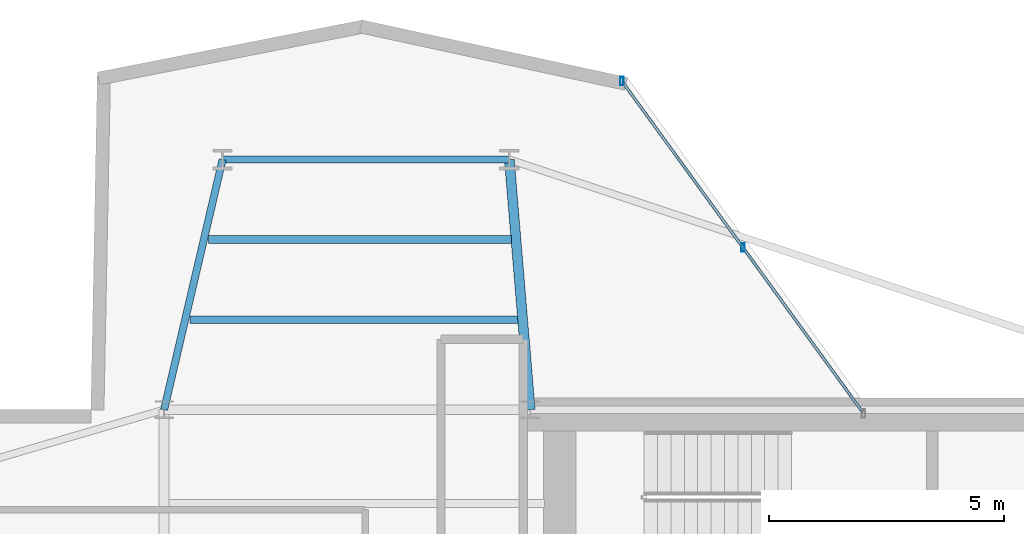
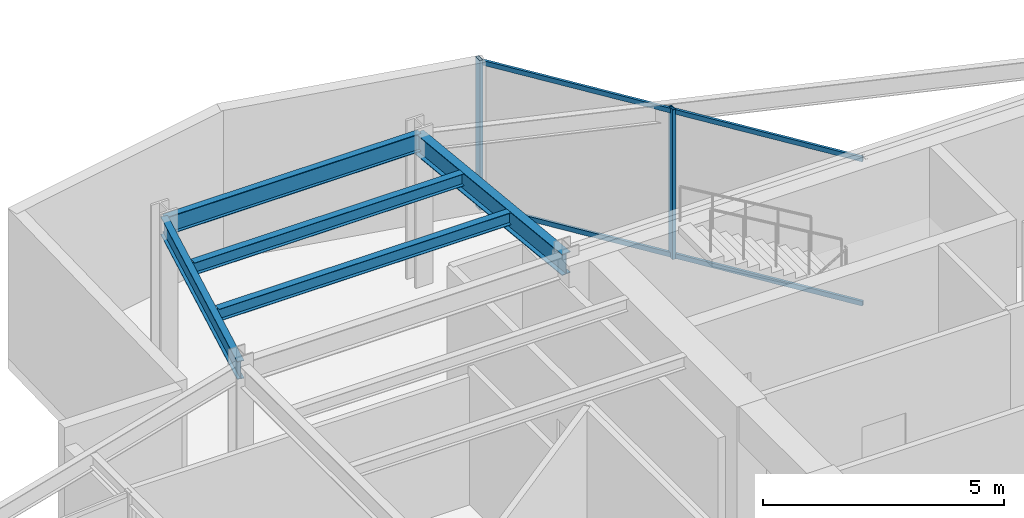
# One storey, part 11 of 21: 5 beams, 4 members, 1 element without a shape of its own.
"""IFC4 building model written with IfcOpenShell, lengths in metres."""

from ifc_helpers import new_model, si_unit, direction, frame, origin, origin_2d, place, context, subcontext, project, spatial, hollow_rectangle, i_section, extrude, material, layer, layer_set, material_profile, profile_set, type_object, element, aggregate, save


model = new_model("IFC4")

# Units and contexts
model_context = context("Model", 3, precision=1e-05, world=origin(), true_north=direction((0.0, 1.0)))
body_context = subcontext(model_context, "Body", "Model", "MODEL_VIEW")
ifc_project = project(units=[si_unit("LENGTHUNIT", "METRE"), si_unit("AREAUNIT", "SQUARE_METRE"), si_unit("VOLUMEUNIT", "CUBIC_METRE"), si_unit("PLANEANGLEUNIT", "RADIAN"), si_unit("MASSUNIT", "GRAM", prefix="KILO")], contexts=[model_context])

# Site, building, storey
site_placement = place(None, origin())
site = spatial("IfcSite", under=ifc_project, at=site_placement, CompositionType="ELEMENT")
building_placement = place(site_placement, origin())
building = spatial("IfcBuilding", under=site, at=building_placement, Name="Veymaron Broadcast Tower", CompositionType="ELEMENT")
storey_placement = place(building_placement, frame((0.0, 0.0, 228.300048828125)))
storey = spatial("IfcBuildingStorey", under=building, at=storey_placement, Name="L53", CompositionType="ELEMENT", Elevation=228.300048828125)

# Beams
ifc_material_1 = material(Name="Structural steel ASTM A992 Gr 50", Category="steel")
ifc_material_profile_1 = material_profile(ifc_material_1, i_section(OverallWidth=0.2099609375, OverallDepth=0.537109375, WebThickness=0.010986328125, FlangeThickness=0.017333984375, at=origin_2d()), Name="W530X101")
ifc_profile_set_1 = profile_set([ifc_material_profile_1], Name="Structural steel ASTM A992 Gr 50")
beam_type_1 = type_object("IfcBeamType", Name="BM-FG3", PredefinedType="BEAM", material=ifc_profile_set_1)
beam_1_placement = place(storey_placement, frame((39.0, 32.0, 3.521484375), z_axis=(-0.083211691167, 0.996531893345, 0.0), x_axis=(-0.996531893345, -0.083211691167, 0.0)))
element("IfcBeam", 1, at=beam_1_placement, inside=storey, type_object=beam_type_1, Name="L53 primary structural floor girder", PredefinedType="BEAM", context=body_context, shape_type="SweptSolid", body=[
    extrude(i_section(OverallWidth=0.2099609375, OverallDepth=0.537109375, WebThickness=0.010986328125, FlangeThickness=0.017333984375, at=origin_2d()), origin(), (0.0, 0.0, 1.0), 5.3486328125),
])
ifc_material_profile_2 = material_profile(ifc_material_1, i_section(OverallWidth=0.1650390625, OverallDepth=0.31005859375, WebThickness=0.005859375, FlangeThickness=0.009765625, at=origin_2d()), Name="W310X39")
ifc_profile_set_2 = profile_set([ifc_material_profile_2], Name="Structural steel ASTM A992 Gr 50")
beam_type_2 = type_object("IfcBeamType", Name="BM-JS3", PredefinedType="JOIST", material=ifc_profile_set_2)
beam_2_placement = place(storey_placement, frame((31.74853515625, 33.918701171875, 3.635009765625), z_axis=(1.0, 0.0, 0.0), x_axis=(0.0, 1.0, 0.0)))
element("IfcBeam", 2, at=beam_2_placement, inside=storey, type_object=beam_type_2, Name="L53 Arm-B secondary joist 1", PredefinedType="JOIST", context=body_context, shape_type="SweptSolid", body=[
    extrude(i_section(OverallWidth=0.1650390625, OverallDepth=0.31005859375, WebThickness=0.005859375, FlangeThickness=0.009765625, at=origin_2d()), origin(), (0.0, 0.0, 1.0), 6.9912109375),
])
beam_3_placement = place(storey_placement, frame((32.147216796875, 35.62451171875, 3.635009765625), z_axis=(1.0, 0.0, 0.0), x_axis=(0.0, 1.0, 0.0)))
element("IfcBeam", 3, at=beam_3_placement, inside=storey, type_object=beam_type_2, Name="L53 Arm-B secondary joist 2", PredefinedType="JOIST", context=body_context, shape_type="SweptSolid", body=[
    extrude(i_section(OverallWidth=0.1650390625, OverallDepth=0.31005859375, WebThickness=0.005859375, FlangeThickness=0.009765625, at=origin_2d()), origin(), (0.0, 0.0, 1.0), 6.4501953125),
])
ifc_material_profile_3 = material_profile(ifc_material_1, i_section(OverallWidth=0.154052734375, OverallDepth=0.458984375, WebThickness=0.009033203125, FlangeThickness=0.015380859375, at=origin_2d()), Name="W460X68")
ifc_profile_set_3 = profile_set([ifc_material_profile_3], Name="Structural steel ASTM A992 Gr 50")
beam_type_3 = type_object("IfcBeamType", Name="BM-SP2", PredefinedType="SPANDREL", material=ifc_profile_set_3)
beam_4_placement = place(storey_placement, frame((31.199951171875, 32.0, 3.560546875), z_axis=(0.227646942329, 0.973743739209, 0.0), x_axis=(-0.973743739209, 0.227646942329, 0.0)))
element("IfcBeam", 4, at=beam_4_placement, inside=storey, type_object=beam_type_3, Name="L53 primary structural floor girder", PredefinedType="SPANDREL", context=body_context, shape_type="SweptSolid", body=[
    extrude(i_section(OverallWidth=0.154052734375, OverallDepth=0.458984375, WebThickness=0.009033203125, FlangeThickness=0.015380859375, at=origin_2d()), origin(), (0.0, 0.0, 1.0), 5.473876953125),
])
beam_5_placement = place(storey_placement, frame((32.446044921875, 37.330078125, 3.560546875), z_axis=(1.0, 0.0, 0.0), x_axis=(0.0, 1.0, 0.0)))
element("IfcBeam", 5, at=beam_5_placement, inside=storey, type_object=beam_type_3, Name="L53 primary structural floor girder", PredefinedType="SPANDREL", context=body_context, shape_type="SweptSolid", body=[
    extrude(i_section(OverallWidth=0.154052734375, OverallDepth=0.458984375, WebThickness=0.009033203125, FlangeThickness=0.015380859375, at=origin_2d()), origin(), (0.0, 0.0, 1.0), 6.10888671875),
])

# Curtain wall, members
ifc_material_2 = material(Name="Anodised aluminium AA 6063-T6 and laminated low-E dark glass", Category="aluminium")
ifc_layer = layer(ifc_material_2, 0.179931640625)
ifc_layer_set = layer_set([ifc_layer], Name="Anodised aluminium AA 6063-T6 and laminated low-E dark glass")
curtain_wall_type = type_object("IfcCurtainWallType", Name="CW-SYS-05", PredefinedType="NOTDEFINED", material=ifc_layer_set)
curtain_wall_placement = place(storey_placement, origin())
curtain_wall = element("IfcCurtainWall", 6, at=curtain_wall_placement, inside=storey, type_object=curtain_wall_type, Name="L53 dark-glass curtain wall CW-L53-E5-1", PredefinedType="NOTDEFINED")
ifc_material_3 = material(Name="Anodised aluminium AA 6063-T6", Category="aluminium")
ifc_material_profile_4 = material_profile(ifc_material_3, hollow_rectangle(XDim=0.074951171875, YDim=0.179931640625, WallThickness=0.0048828125, at=origin_2d()), Name="AL180X75X5")
ifc_profile_set_4 = profile_set([ifc_material_profile_4], Name="Anodised aluminium AA 6063-T6")
member_type_1 = type_object("IfcMemberType", Name="CW-MUL-02", PredefinedType="MULLION", material=ifc_profile_set_4)
member_1_placement = place(storey_placement, frame((43.5302734375, 35.458740234375, 0.0), z_axis=(0.0, 0.0, 1.0), x_axis=(1.0, 0.0, 0.0)))
member_1 = element("IfcMember", 7, at=member_1_placement, type_object=member_type_1, Name="CW-L53-E5-1 mullion 1", PredefinedType="MULLION", context=body_context, shape_type="SweptSolid", body=[
    extrude(hollow_rectangle(XDim=0.074951171875, YDim=0.179931640625, WallThickness=0.0048828125, at=origin_2d()), origin(), (0.0, 0.0, 1.0), 3.7900390625),
])
member_2_placement = place(storey_placement, frame((40.955322265625, 38.999755859375, 0.0), z_axis=(0.0, 0.0, 1.0), x_axis=(1.0, 0.0, 0.0)))
member_2 = element("IfcMember", 8, at=member_2_placement, type_object=member_type_1, Name="CW-L53-E5-1 mullion 2", PredefinedType="MULLION", context=body_context, shape_type="SweptSolid", body=[
    extrude(hollow_rectangle(XDim=0.074951171875, YDim=0.179931640625, WallThickness=0.0048828125, at=origin_2d()), origin(), (0.0, 0.0, 1.0), 3.7900390625),
])
ifc_material_profile_5 = material_profile(ifc_material_3, hollow_rectangle(XDim=0.06005859375, YDim=0.1201171875, WallThickness=0.00390625, at=origin_2d()), Name="AL120X60X4")
ifc_profile_set_5 = profile_set([ifc_material_profile_5], Name="Anodised aluminium AA 6063-T6")
member_type_2 = type_object("IfcMemberType", Name="CW-TRN-02", PredefinedType="USERDEFINED", material=ifc_profile_set_5)
member_3_placement = place(storey_placement, frame((46.07568359375, 31.9580078125, 0.070068359375), z_axis=(-0.588116357514, 0.808776328798, 0.0), x_axis=(-0.808776328798, -0.588116357514, 0.0)))
member_3 = element("IfcMember", 9, at=member_3_placement, type_object=member_type_2, Name="CW-L53-E5-1 transom B", ObjectType="TRANSOM", PredefinedType="USERDEFINED", context=body_context, shape_type="SweptSolid", body=[
    extrude(hollow_rectangle(XDim=0.06005859375, YDim=0.1201171875, WallThickness=0.00390625, at=origin_2d()), origin(), (0.0, 0.0, 1.0), 8.656494140625),
])
member_4_placement = place(storey_placement, frame((46.07568359375, 31.9580078125, 3.719970703125), z_axis=(-0.588116357514, 0.808776328798, 0.0), x_axis=(-0.808776328798, -0.588116357514, 0.0)))
member_4 = element("IfcMember", 10, at=member_4_placement, type_object=member_type_2, Name="CW-L53-E5-1 transom T", ObjectType="TRANSOM", PredefinedType="USERDEFINED", context=body_context, shape_type="SweptSolid", body=[
    extrude(hollow_rectangle(XDim=0.06005859375, YDim=0.1201171875, WallThickness=0.00390625, at=origin_2d()), origin(), (0.0, 0.0, 1.0), 8.656494140625),
])
aggregate(curtain_wall, [member_1, member_2, member_3, member_4])

save(model, "model.ifc")
